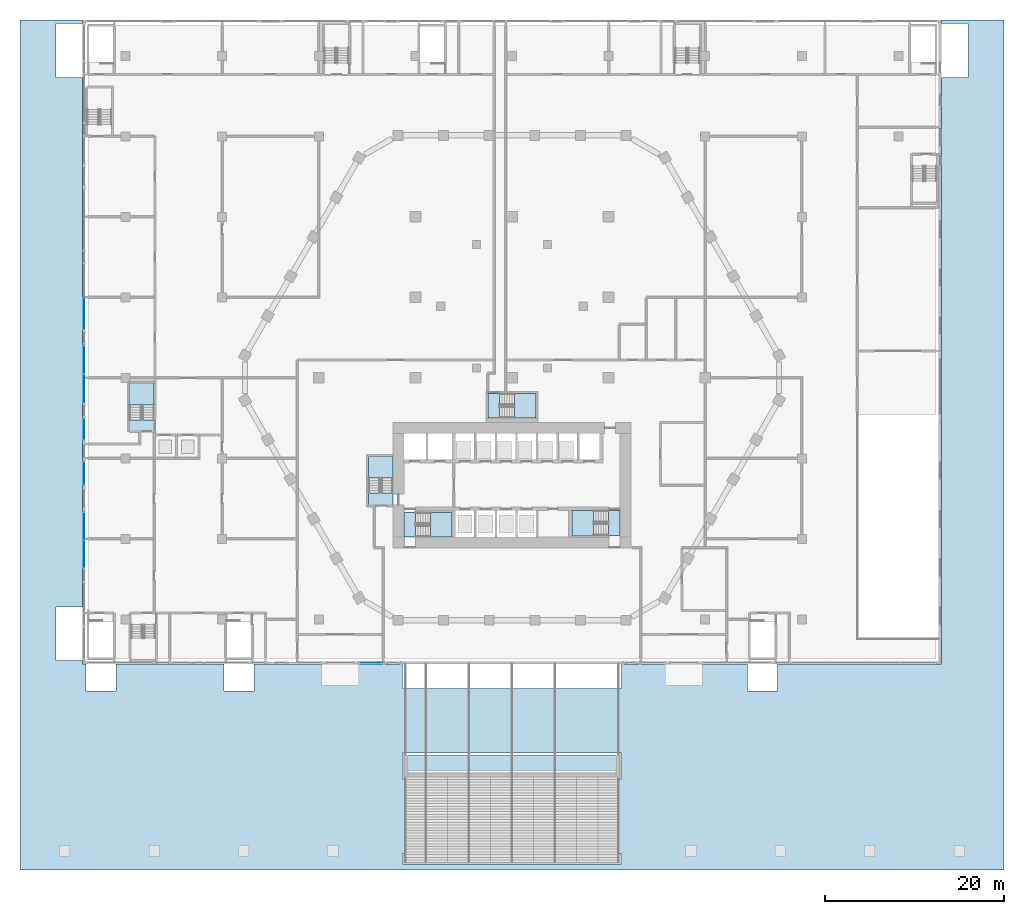
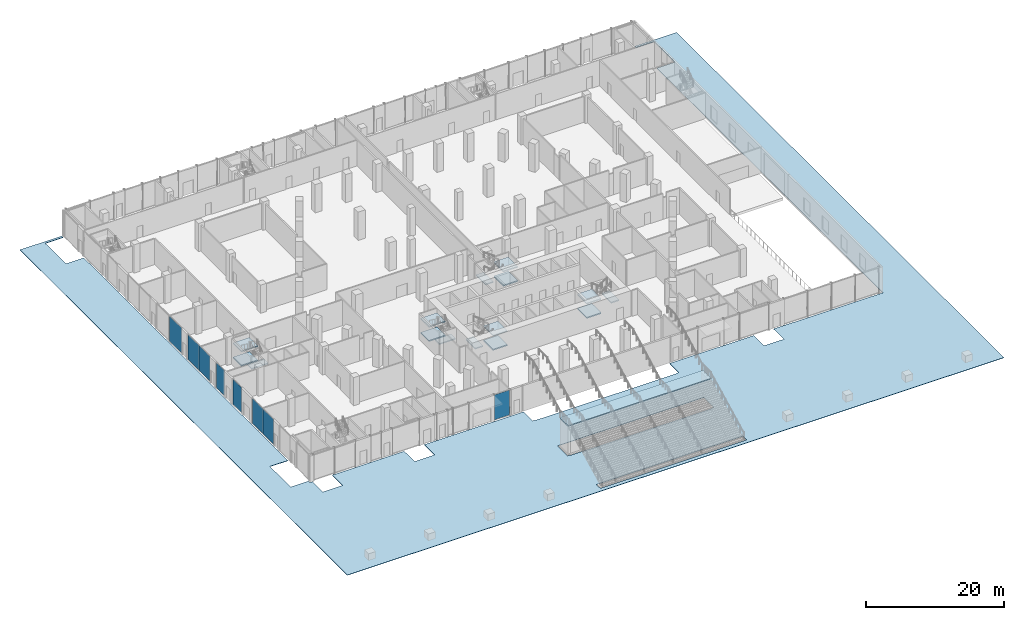
# One storey, part 17 of 57: 17 slabs, 8 plates, 12 elements without a shape of their own.
"""IFC4 building model written with IfcOpenShell, lengths in metres."""

from ifc_helpers import new_model, si_unit, direction, frame, origin, origin_2d, place, context, subcontext, project, spatial, polyline, rectangle, outline, extrude, material, layer, layer_set, type_object, element, aggregate, save


model = new_model("IFC4")

# Units and contexts
model_context = context("Model", 3, precision=1e-05, world=origin(), true_north=direction((0.0, 1.0)))
body_context = subcontext(model_context, "Body", "Model", "MODEL_VIEW")
ifc_project = project(units=[si_unit("LENGTHUNIT", "METRE"), si_unit("AREAUNIT", "SQUARE_METRE"), si_unit("VOLUMEUNIT", "CUBIC_METRE"), si_unit("PLANEANGLEUNIT", "RADIAN"), si_unit("MASSUNIT", "GRAM", prefix="KILO")], contexts=[model_context])

# Site, building, storey
site_placement = place(None, origin())
site = spatial("IfcSite", under=ifc_project, at=site_placement, CompositionType="ELEMENT")
building_placement = place(site_placement, origin())
building = spatial("IfcBuilding", under=site, at=building_placement, Name="Beryl Residences", CompositionType="ELEMENT")
storey_placement = place(building_placement, origin())
storey = spatial("IfcBuildingStorey", under=building, at=storey_placement, Name="L00", CompositionType="ELEMENT", Elevation=0.0)

# Curtain wall, plate
ifc_material_1 = material(Name="Aluminium and clear glass", Category="aluminium")
curtain_wall_type_1 = type_object("IfcCurtainWallType", Name="CW1 shopfront glazed wall", PredefinedType="NOTDEFINED", material=ifc_material_1)
curtain_wall_1_placement = place(storey_placement, origin())
curtain_wall_1 = element("IfcCurtainWall", 1, at=curtain_wall_1_placement, inside=storey, type_object=curtain_wall_type_1, Name="CW1 L00 W", PredefinedType="NOTDEFINED")
ifc_material_2 = material(Name="Clear laminated glass", Category="glass")
ifc_layer_1 = layer(ifc_material_2, 0.028076171875)
ifc_layer_set_1 = layer_set([ifc_layer_1], Name="CW1-P glazing panel 28 mm")
plate_type_1 = type_object("IfcPlateType", Name="CW1-P glazing panel 28 mm", PredefinedType="CURTAIN_PANEL", material=ifc_layer_set_1)
plate_1_placement = place(storey_placement, frame((-47.85009765625, 7.18994140625, 0.06005859375), z_axis=(0.0, 0.0, 1.0), x_axis=(0.0, -1.0, 0.0)))
plate_1 = element("IfcPlate", 2, at=plate_1_placement, type_object=plate_type_1, Name="CW1 panel 2.1", PredefinedType="CURTAIN_PANEL", context=body_context, shape_type="SweptSolid", body=[
    extrude(rectangle(XDim=3.56005859375, YDim=0.028076171875, at=origin_2d()), origin(), (0.0, 0.0, 1.0), 4.429931640625),
])
aggregate(curtain_wall_1, [plate_1])

# Curtain wall, plates
curtain_wall_2_placement = place(storey_placement, origin())
curtain_wall_2 = element("IfcCurtainWall", 3, at=curtain_wall_2_placement, inside=storey, type_object=curtain_wall_type_1, Name="CW1 L00 W", PredefinedType="NOTDEFINED")
plate_2_placement = place(storey_placement, frame((-47.85009765625, 2.010009765625, 0.06005859375), z_axis=(0.0, 0.0, 1.0), x_axis=(0.0, -1.0, 0.0)))
plate_2 = element("IfcPlate", 4, at=plate_2_placement, type_object=plate_type_1, Name="CW1 panel 1.1", PredefinedType="CURTAIN_PANEL", context=body_context, shape_type="SweptSolid", body=[
    extrude(rectangle(XDim=3.159912109375, YDim=0.028076171875, at=origin_2d()), origin(), (0.0, 0.0, 1.0), 4.429931640625),
])
plate_3_placement = place(storey_placement, frame((-47.85009765625, -1.2099609375, 0.06005859375), z_axis=(0.0, 0.0, 1.0), x_axis=(0.0, -1.0, 0.0)))
plate_3 = element("IfcPlate", 5, at=plate_3_placement, type_object=plate_type_1, Name="CW1 panel 2.1", PredefinedType="CURTAIN_PANEL", context=body_context, shape_type="SweptSolid", body=[
    extrude(rectangle(XDim=3.159912109375, YDim=0.028076171875, at=origin_2d()), origin(), (0.0, 0.0, 1.0), 4.429931640625),
])
aggregate(curtain_wall_2, [plate_2, plate_3])

# Curtain wall, plate
curtain_wall_3_placement = place(storey_placement, origin())
curtain_wall_3 = element("IfcCurtainWall", 6, at=curtain_wall_3_placement, inside=storey, type_object=curtain_wall_type_1, Name="CW1 L00 W", PredefinedType="NOTDEFINED")
plate_4_placement = place(storey_placement, frame((-47.85009765625, -5.77490234375, 0.06005859375), z_axis=(0.0, 0.0, 1.0), x_axis=(0.0, -1.0, 0.0)))
plate_4 = element("IfcPlate", 7, at=plate_4_placement, type_object=plate_type_1, Name="CW1 panel 1.1", PredefinedType="CURTAIN_PANEL", context=body_context, shape_type="SweptSolid", body=[
    extrude(rectangle(XDim=2.330078125, YDim=0.028076171875, at=origin_2d()), origin(), (0.0, 0.0, 1.0), 4.429931640625),
])
aggregate(curtain_wall_3, [plate_4])

curtain_wall_4_placement = place(storey_placement, origin())
curtain_wall_4 = element("IfcCurtainWall", 8, at=curtain_wall_4_placement, inside=storey, type_object=curtain_wall_type_1, Name="CW1 L00 W", PredefinedType="NOTDEFINED")
plate_5_placement = place(storey_placement, frame((-47.85009765625, -10.699951171875, 0.06005859375), z_axis=(0.0, 0.0, 1.0), x_axis=(0.0, -1.0, 0.0)))
plate_5 = element("IfcPlate", 9, at=plate_5_placement, type_object=plate_type_1, Name="CW1 panel 1.1", PredefinedType="CURTAIN_PANEL", context=body_context, shape_type="SweptSolid", body=[
    extrude(rectangle(XDim=2.47998046875, YDim=0.028076171875, at=origin_2d()), origin(), (0.0, 0.0, 1.0), 4.429931640625),
])
aggregate(curtain_wall_4, [plate_5])

# Curtain wall, plates
curtain_wall_5_placement = place(storey_placement, origin())
curtain_wall_5 = element("IfcCurtainWall", 10, at=curtain_wall_5_placement, inside=storey, type_object=curtain_wall_type_1, Name="CW1 L00 W", PredefinedType="NOTDEFINED")
plate_6_placement = place(storey_placement, frame((-47.85009765625, -16.590087890625, 0.06005859375), z_axis=(0.0, 0.0, 1.0), x_axis=(0.0, -1.0, 0.0)))
plate_6 = element("IfcPlate", 11, at=plate_6_placement, type_object=plate_type_1, Name="CW1 panel 1.1", PredefinedType="CURTAIN_PANEL", context=body_context, shape_type="SweptSolid", body=[
    extrude(rectangle(XDim=3.06005859375, YDim=0.028076171875, at=origin_2d()), origin(), (0.0, 0.0, 1.0), 4.429931640625),
])
plate_7_placement = place(storey_placement, frame((-47.85009765625, -19.7099609375, 0.06005859375), z_axis=(0.0, 0.0, 1.0), x_axis=(0.0, -1.0, 0.0)))
plate_7 = element("IfcPlate", 12, at=plate_7_placement, type_object=plate_type_1, Name="CW1 panel 2.1", PredefinedType="CURTAIN_PANEL", context=body_context, shape_type="SweptSolid", body=[
    extrude(rectangle(XDim=3.06005859375, YDim=0.028076171875, at=origin_2d()), origin(), (0.0, 0.0, 1.0), 4.429931640625),
])
aggregate(curtain_wall_5, [plate_6, plate_7])

# Curtain wall, plate
ifc_material_3 = material(Name="Aluminium and clear glass", Category="aluminium")
curtain_wall_type_2 = type_object("IfcCurtainWallType", Name="CW5 lobby and retail return glazing glazed wall", PredefinedType="NOTDEFINED", material=ifc_material_3)
curtain_wall_6_placement = place(storey_placement, origin())
curtain_wall_6 = element("IfcCurtainWall", 13, at=curtain_wall_6_placement, inside=storey, type_object=curtain_wall_type_2, Name="CW5 L00 S", PredefinedType="NOTDEFINED")
ifc_material_4 = material(Name="Clear laminated glass", Category="glass")
ifc_layer_2 = layer(ifc_material_4, 0.028076171875)
ifc_layer_set_2 = layer_set([ifc_layer_2], Name="CW5-P glazing panel 28 mm")
plate_type_2 = type_object("IfcPlateType", Name="CW5-P glazing panel 28 mm", PredefinedType="CURTAIN_PANEL", material=ifc_layer_set_2)
plate_8_placement = place(storey_placement, frame((-15.75, -31.85009765625, 0.06005859375), z_axis=(0.0, 0.0, 1.0), x_axis=(1.0, 0.0, 0.0)))
plate_8 = element("IfcPlate", 14, at=plate_8_placement, type_object=plate_type_2, Name="CW5 panel 1.1", PredefinedType="CURTAIN_PANEL", context=body_context, shape_type="SweptSolid", body=[
    extrude(rectangle(XDim=2.580078125, YDim=0.028076171875, at=origin_2d()), origin(), (0.0, 0.0, 1.0), 4.429931640625),
])
aggregate(curtain_wall_6, [plate_8])

# Stair, slab
ifc_material_5 = material(Name="Precast concrete C40/50", Category="concrete")
stair_type_1 = type_object("IfcStairType", Name="GS1 garden stair", PredefinedType="STRAIGHT_RUN_STAIR", material=ifc_material_5)
stair_1_placement = place(storey_placement, origin())
stair_1 = element("IfcStair", 15, at=stair_1_placement, inside=storey, type_object=stair_type_1, Name="GS1 garden stair", PredefinedType="STRAIGHT_RUN_STAIR")
ifc_material_6 = material(Name="Precast concrete C40/50", Category="concrete")
ifc_layer_3 = layer(ifc_material_6, 0.199951171875)
ifc_layer_set_3 = layer_set([ifc_layer_3], Name="GL1 garden stair landing")
slab_type_1 = type_object("IfcSlabType", Name="GL1 garden stair landing", PredefinedType="LANDING", material=ifc_layer_set_3)
slab_1_placement = place(storey_placement, frame((0.0, 0.0, 4.800048828125)))
slab_1 = element("IfcSlab", 16, at=slab_1_placement, type_object=slab_type_1, Name="GS1 landing 1", PredefinedType="LANDING", context=body_context, shape_type="SweptSolid", body=[
    extrude(outline(polyline([(-12.0, -44.60009765625), (12.0, -44.60009765625), (12.0, -42.199951171875), (-12.0, -42.199951171875), (-12.0, -44.60009765625)])), origin(), (0.0, 0.0, 1.0), 0.199951171875),
])
aggregate(stair_1, [slab_1])

# Slab
ifc_material_7 = material(Name="Precast concrete paving C40/50", Category="concrete")
ifc_layer_4 = layer(ifc_material_7, 0.06005859375)
ifc_layer_set_4 = layer_set([ifc_layer_4], Name="PV1 paving 60 mm")
slab_type_2 = type_object("IfcSlabType", Name="PV1 paving 60 mm", PredefinedType="USERDEFINED", material=ifc_layer_set_4)
slab_2_placement = place(storey_placement, frame((0.0, 0.0, -0.14990234375)))
element("IfcSlab", 17, at=slab_2_placement, inside=storey, type_object=slab_type_2, Name="PV1 site paving 1", ObjectType="PAVING", PredefinedType="USERDEFINED", context=body_context, shape_type="SweptSolid", body=[
    extrude(outline(polyline([(55.0, 40.0), (55.0, -55.0), (-55.0, -55.0), (-55.0, 40.0), (-48.0, 40.0), (-48.0, 39.60009765625), (-51.0, 39.60009765625), (-51.0, 33.60009765625), (-48.0, 33.60009765625), (-48.0, -25.60009765625), (-51.0, -25.60009765625), (-51.0, -31.60009765625), (-48.0, -31.60009765625), (-48.0, -32.0), (-47.60009765625, -32.0), (-47.60009765625, -35.0), (-44.25, -35.0), (-44.25, -32.0), (-32.199951171875, -32.0), (-32.199951171875, -35.0), (-28.85009765625, -35.0), (-28.85009765625, -32.0), (-12.25, -32.0), (-12.25, -34.64990234375), (-11.85009765625, -34.64990234375), (-11.85009765625, -34.75), (11.85009765625, -34.75), (11.85009765625, -34.64990234375), (12.25, -34.64990234375), (12.25, -32.0), (26.35009765625, -32.0), (26.35009765625, -35.0), (29.699951171875, -35.0), (29.699951171875, -32.0), (48.0, -32.0), (48.0, 33.60009765625), (51.0, 33.60009765625), (51.0, 39.60009765625), (48.0, 39.60009765625), (48.0, 40.0), (55.0, 40.0)]), holes=[polyline([(12.25, -53.25), (-12.25, -53.25), (-12.25, -54.35009765625), (12.25, -54.35009765625), (12.25, -53.25)]), polyline([(12.25, -44.85009765625), (12.25, -41.949951171875), (11.75, -41.949951171875), (-11.75, -41.949951171875), (-12.25, -41.949951171875), (-12.25, -44.85009765625), (-11.85009765625, -44.85009765625), (-11.85009765625, -44.949951171875), (11.85009765625, -44.949951171875), (11.85009765625, -44.85009765625), (12.25, -44.85009765625)])]), origin(), (0.0, 0.0, 1.0), 0.059814453125),
])

# Stair, slabs
ifc_material_8 = material(Name="Concrete C40/50", Category="concrete")
stair_type_2 = type_object("IfcStairType", Name="ST1 protected exit stair, half-turn, 1300 mm flights", PredefinedType="HALF_TURN_STAIR", material=ifc_material_8)
stair_2_placement = place(storey_placement, origin())
stair_2 = element("IfcStair", 18, at=stair_2_placement, inside=storey, type_object=stair_type_2, Name="L00 Podium exit stair 6", PredefinedType="HALF_TURN_STAIR")
ifc_material_9 = material(Name="Concrete C40/50", Category="concrete")
ifc_layer_5 = layer(ifc_material_9, 0.199951171875)
ifc_layer_set_5 = layer_set([ifc_layer_5], Name="SLD1 stair landing 200 mm")
slab_type_3 = type_object("IfcSlabType", Name="SLD1 stair landing 200 mm", PredefinedType="LANDING", material=ifc_layer_set_5)
slab_3_placement = place(storey_placement, frame((0.0, 0.0, 1.050048828125)))
slab_3 = element("IfcSlab", 19, at=slab_3_placement, type_object=slab_type_3, Name="PS-6 landing 1", PredefinedType="LANDING", context=body_context, shape_type="SweptSolid", body=[
    extrude(outline(polyline([(-40.0, -3.02001953125), (-40.0, -0.60009765625), (-42.75, -0.60009765625), (-42.75, -3.02001953125), (-40.0, -3.02001953125)])), origin(), (0.0, 0.0, 1.0), 0.199951171875),
])
slab_4_placement = place(storey_placement, frame((0.0, 0.0, 2.300048828125)))
slab_4 = element("IfcSlab", 20, at=slab_4_placement, type_object=slab_type_3, Name="PS-6 landing 2", PredefinedType="LANDING", context=body_context, shape_type="SweptSolid", body=[
    extrude(outline(polyline([(-40.0, -6.0), (-40.0, -4.699951171875), (-42.75, -4.699951171875), (-42.75, -6.0), (-40.0, -6.0)])), origin(), (0.0, 0.0, 1.0), 0.199951171875),
])
slab_5_placement = place(storey_placement, frame((0.0, 0.0, 3.550048828125)))
slab_5 = element("IfcSlab", 21, at=slab_5_placement, type_object=slab_type_3, Name="PS-6 landing 3", PredefinedType="LANDING", context=body_context, shape_type="SweptSolid", body=[
    extrude(outline(polyline([(-40.0, -3.02001953125), (-40.0, -0.60009765625), (-42.75, -0.60009765625), (-42.75, -3.02001953125), (-40.0, -3.02001953125)])), origin(), (0.0, 0.0, 1.0), 0.199951171875),
])
aggregate(stair_2, [slab_3, slab_4, slab_5])

stair_3_placement = place(storey_placement, origin())
stair_3 = element("IfcStair", 22, at=stair_3_placement, inside=storey, type_object=stair_type_2, Name="L00 PROTECTED EXIT STAIR ST-1", PredefinedType="HALF_TURN_STAIR")
slab_6_placement = place(storey_placement, frame((0.0, 0.0, 1.050048828125)))
slab_6 = element("IfcSlab", 23, at=slab_6_placement, type_object=slab_type_3, Name="ST-1 landing 1", PredefinedType="LANDING", context=body_context, shape_type="SweptSolid", body=[
    extrude(outline(polyline([(-9.1201171875, -17.800048828125), (-6.699951171875, -17.800048828125), (-6.699951171875, -15.050048828125), (-9.1201171875, -15.050048828125), (-9.1201171875, -17.800048828125)])), origin(), (0.0, 0.0, 1.0), 0.199951171875),
])
slab_7_placement = place(storey_placement, frame((0.0, 0.0, 2.300048828125)))
slab_7 = element("IfcSlab", 24, at=slab_7_placement, type_object=slab_type_3, Name="ST-1 landing 2", PredefinedType="LANDING", context=body_context, shape_type="SweptSolid", body=[
    extrude(outline(polyline([(-12.10009765625, -17.800048828125), (-10.800048828125, -17.800048828125), (-10.800048828125, -15.050048828125), (-12.10009765625, -15.050048828125), (-12.10009765625, -17.800048828125)])), origin(), (0.0, 0.0, 1.0), 0.199951171875),
])
slab_8_placement = place(storey_placement, frame((0.0, 0.0, 3.550048828125)))
slab_8 = element("IfcSlab", 25, at=slab_8_placement, type_object=slab_type_3, Name="ST-1 landing 3", PredefinedType="LANDING", context=body_context, shape_type="SweptSolid", body=[
    extrude(outline(polyline([(-9.1201171875, -17.800048828125), (-6.699951171875, -17.800048828125), (-6.699951171875, -15.050048828125), (-9.1201171875, -15.050048828125), (-9.1201171875, -17.800048828125)])), origin(), (0.0, 0.0, 1.0), 0.199951171875),
])
aggregate(stair_3, [slab_6, slab_7, slab_8])

stair_4_placement = place(storey_placement, origin())
stair_4 = element("IfcStair", 26, at=stair_4_placement, inside=storey, type_object=stair_type_2, Name="L00 PROTECTED EXIT STAIR ST-2", PredefinedType="HALF_TURN_STAIR")
slab_9_placement = place(storey_placement, frame((0.0, 0.0, 1.050048828125)))
slab_9 = element("IfcSlab", 27, at=slab_9_placement, type_object=slab_type_3, Name="ST-2 landing 1", PredefinedType="LANDING", context=body_context, shape_type="SweptSolid", body=[
    extrude(outline(polyline([(-13.300048828125, -11.219970703125), (-13.300048828125, -8.800048828125), (-16.050048828125, -8.800048828125), (-16.050048828125, -11.219970703125), (-13.300048828125, -11.219970703125)])), origin(), (0.0, 0.0, 1.0), 0.199951171875),
])
slab_10_placement = place(storey_placement, frame((0.0, 0.0, 2.300048828125)))
slab_10 = element("IfcSlab", 28, at=slab_10_placement, type_object=slab_type_3, Name="ST-2 landing 2", PredefinedType="LANDING", context=body_context, shape_type="SweptSolid", body=[
    extrude(outline(polyline([(-13.300048828125, -14.199951171875), (-13.300048828125, -12.89990234375), (-16.050048828125, -12.89990234375), (-16.050048828125, -14.199951171875), (-13.300048828125, -14.199951171875)])), origin(), (0.0, 0.0, 1.0), 0.199951171875),
])
slab_11_placement = place(storey_placement, frame((0.0, 0.0, 3.550048828125)))
slab_11 = element("IfcSlab", 29, at=slab_11_placement, type_object=slab_type_3, Name="ST-2 landing 3", PredefinedType="LANDING", context=body_context, shape_type="SweptSolid", body=[
    extrude(outline(polyline([(-13.300048828125, -11.219970703125), (-13.300048828125, -8.800048828125), (-16.050048828125, -8.800048828125), (-16.050048828125, -11.219970703125), (-13.300048828125, -11.219970703125)])), origin(), (0.0, 0.0, 1.0), 0.199951171875),
])
aggregate(stair_4, [slab_9, slab_10, slab_11])

stair_5_placement = place(storey_placement, origin())
stair_5 = element("IfcStair", 30, at=stair_5_placement, inside=storey, type_object=stair_type_2, Name="L00 PROTECTED EXIT STAIR ST-3", PredefinedType="HALF_TURN_STAIR")
slab_12_placement = place(storey_placement, frame((0.0, 0.0, 1.050048828125)))
slab_12 = element("IfcSlab", 31, at=slab_12_placement, type_object=slab_type_3, Name="ST-3 landing 1", PredefinedType="LANDING", context=body_context, shape_type="SweptSolid", body=[
    extrude(outline(polyline([(9.1201171875, -14.85009765625), (6.699951171875, -14.85009765625), (6.699951171875, -17.60009765625), (9.1201171875, -17.60009765625), (9.1201171875, -14.85009765625)])), origin(), (0.0, 0.0, 1.0), 0.199951171875),
])
slab_13_placement = place(storey_placement, frame((0.0, 0.0, 2.300048828125)))
slab_13 = element("IfcSlab", 32, at=slab_13_placement, type_object=slab_type_3, Name="ST-3 landing 2", PredefinedType="LANDING", context=body_context, shape_type="SweptSolid", body=[
    extrude(outline(polyline([(12.10009765625, -14.85009765625), (10.800048828125, -14.85009765625), (10.800048828125, -17.60009765625), (12.10009765625, -17.60009765625), (12.10009765625, -14.85009765625)])), origin(), (0.0, 0.0, 1.0), 0.199951171875),
])
slab_14_placement = place(storey_placement, frame((0.0, 0.0, 3.550048828125)))
slab_14 = element("IfcSlab", 33, at=slab_14_placement, type_object=slab_type_3, Name="ST-3 landing 3", PredefinedType="LANDING", context=body_context, shape_type="SweptSolid", body=[
    extrude(outline(polyline([(9.1201171875, -14.85009765625), (6.699951171875, -14.85009765625), (6.699951171875, -17.60009765625), (9.1201171875, -17.60009765625), (9.1201171875, -14.85009765625)])), origin(), (0.0, 0.0, 1.0), 0.199951171875),
])
aggregate(stair_5, [slab_12, slab_13, slab_14])

stair_6_placement = place(storey_placement, origin())
stair_6 = element("IfcStair", 34, at=stair_6_placement, inside=storey, type_object=stair_type_2, Name="L00 PROTECTED EXIT STAIR ST-4", PredefinedType="HALF_TURN_STAIR")
slab_15_placement = place(storey_placement, frame((0.0, 0.0, 1.050048828125)))
slab_15 = element("IfcSlab", 35, at=slab_15_placement, type_object=slab_type_3, Name="ST-4 landing 1", PredefinedType="LANDING", context=body_context, shape_type="SweptSolid", body=[
    extrude(outline(polyline([(0.280029296875, -4.5), (2.699951171875, -4.5), (2.699951171875, -1.75), (0.280029296875, -1.75), (0.280029296875, -4.5)])), origin(), (0.0, 0.0, 1.0), 0.199951171875),
])
slab_16_placement = place(storey_placement, frame((0.0, 0.0, 2.300048828125)))
slab_16 = element("IfcSlab", 36, at=slab_16_placement, type_object=slab_type_3, Name="ST-4 landing 2", PredefinedType="LANDING", context=body_context, shape_type="SweptSolid", body=[
    extrude(outline(polyline([(-2.699951171875, -4.5), (-1.39990234375, -4.5), (-1.39990234375, -1.75), (-2.699951171875, -1.75), (-2.699951171875, -4.5)])), origin(), (0.0, 0.0, 1.0), 0.199951171875),
])
slab_17_placement = place(storey_placement, frame((0.0, 0.0, 3.550048828125)))
slab_17 = element("IfcSlab", 37, at=slab_17_placement, type_object=slab_type_3, Name="ST-4 landing 3", PredefinedType="LANDING", context=body_context, shape_type="SweptSolid", body=[
    extrude(outline(polyline([(0.280029296875, -4.5), (2.699951171875, -4.5), (2.699951171875, -1.75), (0.280029296875, -1.75), (0.280029296875, -4.5)])), origin(), (0.0, 0.0, 1.0), 0.199951171875),
])
aggregate(stair_6, [slab_15, slab_16, slab_17])

save(model, "model.ifc")
